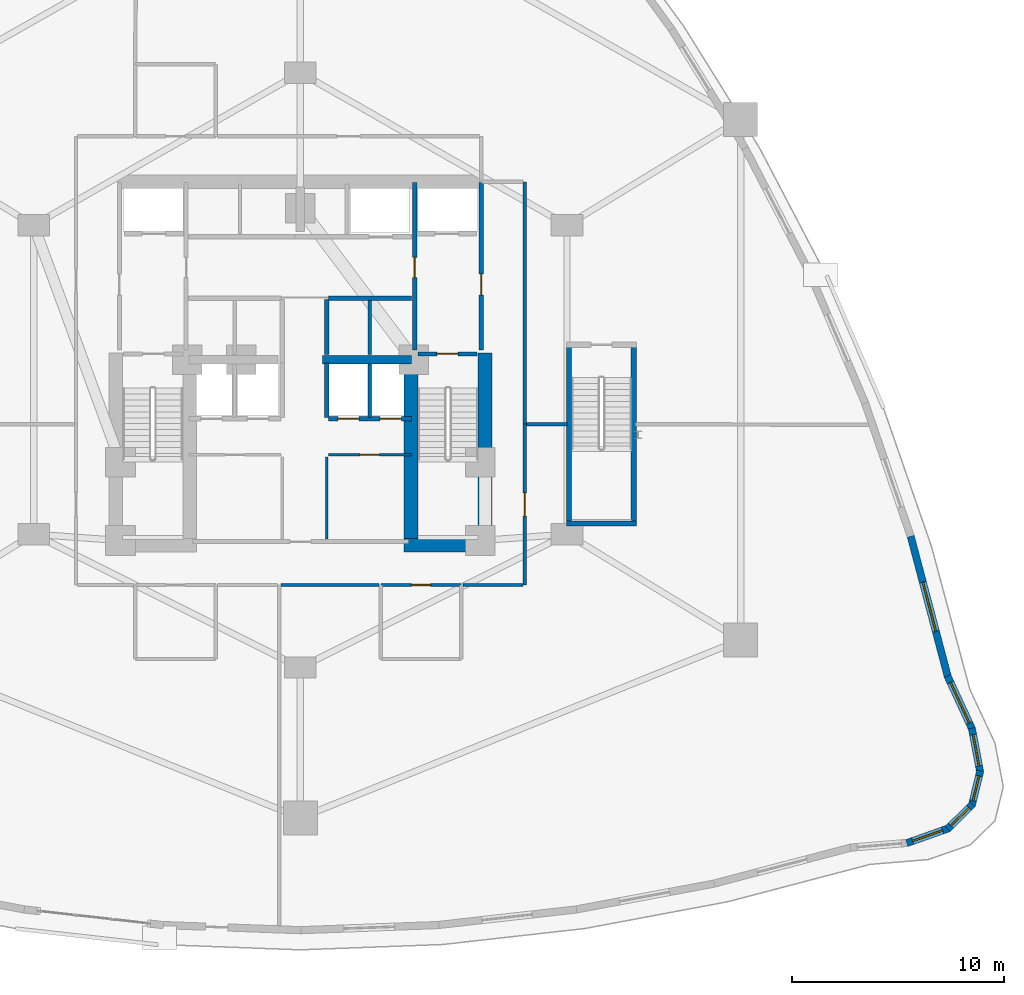
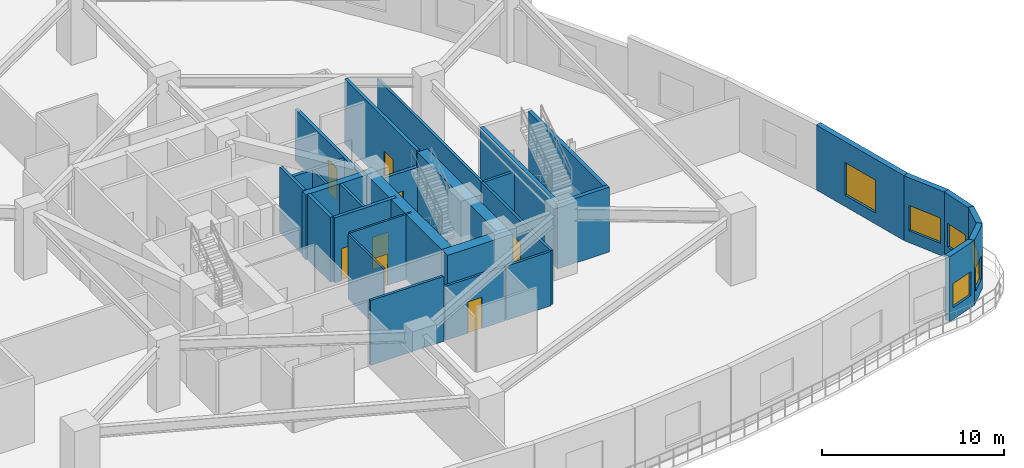
# One storey, part 13 of 19: 30 walls, 8 doors, 6 windows, 14 openings.
"""IFC4 building model written with IfcOpenShell, lengths in metres."""

from ifc_helpers import new_model, si_unit, direction, frame, frame_2d, origin, place, context, subcontext, project, spatial, rectangle, extrude, material, layer, layer_set, type_object, element, fill, save


model = new_model("IFC4")

# Units and contexts
model_context = context("Model", 3, precision=1e-05, world=origin(), true_north=direction((0.0, 1.0)))
body_context = subcontext(model_context, "Body", "Model", "MODEL_VIEW")
ifc_project = project(units=[si_unit("LENGTHUNIT", "METRE"), si_unit("AREAUNIT", "SQUARE_METRE"), si_unit("VOLUMEUNIT", "CUBIC_METRE"), si_unit("PLANEANGLEUNIT", "RADIAN"), si_unit("MASSUNIT", "GRAM", prefix="KILO")], contexts=[model_context])

# Site, building, storey
site_placement = place(None, origin())
site = spatial("IfcSite", under=ifc_project, at=site_placement, CompositionType="ELEMENT")
building_placement = place(site_placement, origin())
building = spatial("IfcBuilding", under=site, at=building_placement, Name="Miruveldt Soraemaru", CompositionType="ELEMENT")
storey_placement = place(building_placement, frame((0.0, 0.0, 19.199951171875)))
storey = spatial("IfcBuildingStorey", under=building, at=storey_placement, Name="L05", CompositionType="ELEMENT", Elevation=19.199951171875)

# Walls
ifc_material_1 = material(Name="Concrete C70/85 (70 MPa)", Category="concrete")
ifc_layer_1 = layer(ifc_material_1, 0.5, Name="Concrete C70/85 (70 MPa)", Category="concrete")
ifc_layer_set_1 = layer_set([ifc_layer_1], Name="Concrete C70/85 (70 MPa)")
wall_type_1 = type_object("IfcWallType", Name="WALL-BW-500", PredefinedType="SHEAR", material=ifc_layer_set_1)
wall_1_placement = place(storey_placement, frame((45.050048828125, 44.050048828125, 0.0), z_axis=(0.0, 0.0, 1.0), x_axis=(1.0, 0.0, 0.0)))
element("IfcWall", 1, at=wall_1_placement, inside=storey, type_object=wall_type_1, Name="L05 Core Buttress Shear Wall BE", PredefinedType="SHEAR", context=body_context, shape_type="SweptSolid", body=[
    extrude(rectangle(XDim=4.199951171875, YDim=0.39990234375, at=frame_2d((2.10009765625, 0.0))), origin(), (0.0, 0.0, 1.0), 4.35009765625),
])
ifc_material_2 = material(Name="Concrete C50/60 (50 MPa)", Category="concrete")
ifc_layer_2 = layer(ifc_material_2, 0.419921875, Name="Concrete C50/60 (50 MPa)", Category="concrete")
ifc_layer_set_2 = layer_set([ifc_layer_2], Name="Concrete C50/60 (50 MPa)")
wall_type_2 = type_object("IfcWallType", Name="WALL-CW-420", PredefinedType="SHEAR", material=ifc_layer_set_2)
for number, where, z_axis, x_axis, name in (
    (2, (56.699951171875, 36.35009765625, 0.0), (0.0, 0.0, 1.0), (0.0, 1.0, 0.0), "L05 Podium Garden Feature Stair ST-4 Structural Shaft Wall W"),
    (3, (59.75, 36.35009765625, 0.0), (0.0, 0.0, 1.0), (0.0, 1.0, 0.0), "L05 Podium Garden Feature Stair ST-4 Structural Shaft Wall E"),
):
    element("IfcWall", number, at=place(storey_placement, frame(where, z_axis=z_axis, x_axis=x_axis)), inside=storey, type_object=wall_type_2, Name=name, PredefinedType="SHEAR", context=body_context, shape_type="SweptSolid", body=[
        extrude(rectangle(XDim=8.349853515625, YDim=0.239990234375, at=frame_2d((4.1748046875, 0.0))), origin(), (0.0, 0.0, 1.0), 4.35009765625),
    ])
wall_2_placement = place(storey_placement, frame((56.580078125, 36.300048828125, 0.0), z_axis=(0.0, 0.0, 1.0), x_axis=(1.0, 0.0, 0.0)))
element("IfcWall", 4, at=wall_2_placement, inside=storey, type_object=wall_type_2, Name="L05 Podium Garden Feature Stair ST-4 Structural Shaft Wall S", PredefinedType="SHEAR", context=body_context, shape_type="SweptSolid", body=[
    extrude(rectangle(XDim=3.2900390625, YDim=0.239990234375, at=frame_2d((1.64501953125, 0.0))), origin(), (0.0, 0.0, 1.0), 4.35009765625),
])
ifc_material_3 = material(Name="Concrete C80/95 (80 MPa)", Category="concrete")
ifc_layer_3 = layer(ifc_material_3, 0.64990234375, Name="Concrete C80/95 (80 MPa)", Category="concrete")
ifc_layer_set_3 = layer_set([ifc_layer_3], Name="Concrete C80/95 (80 MPa)")
wall_type_3 = type_object("IfcWallType", Name="WALL-CW-650", PredefinedType="SHEAR", material=ifc_layer_set_3)
wall_3_placement = place(storey_placement, frame((48.89990234375, 35.27490234375, 0.0), z_axis=(0.0, 0.0, 1.0), x_axis=(1.0, 0.0, 0.0)))
element("IfcWall", 5, at=wall_3_placement, inside=storey, type_object=wall_type_3, Name="L05 Central Core Shear Wall S2", PredefinedType="SHEAR", context=body_context, shape_type="SweptSolid", body=[
    extrude(rectangle(XDim=4.150146484375, YDim=0.64990234375, at=frame_2d((2.0751953125, 0.0))), origin(), (0.0, 0.0, 1.0), 4.35009765625),
])
wall_4_placement = place(storey_placement, frame((52.72509765625, 34.949951171875, 0.0), z_axis=(0.0, 0.0, 1.0), x_axis=(0.0, 1.0, 0.0)))
element("IfcWall", 6, at=wall_4_placement, inside=storey, type_object=wall_type_3, Name="L05 Central Core Shear Wall E1", PredefinedType="SHEAR", context=body_context, shape_type="SweptSolid", body=[
    extrude(rectangle(XDim=9.400146484375, YDim=0.64990234375, at=frame_2d((4.7001953125, 0.0))), origin(), (0.0, 0.0, 1.0), 4.35009765625),
])
wall_5_placement = place(storey_placement, frame((49.22509765625, 35.39990234375, 0.0), z_axis=(0.0, 0.0, 1.0), x_axis=(0.0, 1.0, 0.0)))
element("IfcWall", 7, at=wall_5_placement, inside=storey, type_object=wall_type_3, Name="L05 Central Core Shear Wall SE-INT", PredefinedType="SHEAR", context=body_context, shape_type="SweptSolid", body=[
    extrude(rectangle(XDim=8.9501953125, YDim=0.64990234375, at=frame_2d((4.47509765625, 0.0))), origin(), (0.0, 0.0, 1.0), 4.35009765625),
])

# Wall, opening, window
ifc_material_4 = material(Name="Precast concrete C45/55 (45 MPa)", Category="concrete")
ifc_layer_4 = layer(ifc_material_4, 0.340087890625, Name="Precast concrete C45/55 (45 MPa)", Category="concrete")
ifc_layer_set_4 = layer_set([ifc_layer_4], Name="Precast concrete C45/55 (45 MPa)")
wall_type_4 = type_object("IfcWallType", Name="WALL-EXT-PC340", PredefinedType="SOLIDWALL", material=ifc_layer_set_4)
wall_6_placement = place(storey_placement, frame((72.652099609375, 21.20654296875, 0.0), z_axis=(0.0, 0.0, 1.0), x_axis=(0.942841449092, 0.333241656871, 0.0)))
wall_6 = element("IfcWall", 8, at=wall_6_placement, inside=storey, type_object=wall_type_4, Name="L05 Precast Concrete Facade Wall 30", PredefinedType="SOLIDWALL", context=body_context, shape_type="SweptSolid", body=[
    extrude(rectangle(XDim=2.090087890625, YDim=0.340087890625, at=frame_2d((1.044921875, 0.0))), origin(), (0.0, 0.0, 1.0), 4.35009765625),
])
opening_1_placement = place(wall_6_placement, frame((0.294921875, 0.0, 0.800048828125)))
opening_1 = element("IfcOpeningElement", 9, at=opening_1_placement, cuts=wall_6, Name="Opening WN-3", PredefinedType="OPENING", context=body_context, shape_type="SweptSolid", body=[
    extrude(rectangle(XDim=1.5, YDim=1.60009765625, at=frame_2d((0.75, 0.800048828125))), frame((0.0, 0.18017578125, 0.0), z_axis=(0.0, -1.0, 0.0), x_axis=(1.0, 0.0, 0.0)), (0.0, 0.0, 1.0), 0.360107421875),
])
ifc_material_5 = material(Name="Triple low-e insulated glazing", Category="glass")
window_type_1 = type_object("IfcWindowType", Name="WIN-PUNCH-1500x1600", PartitioningType="SINGLE_PANEL", PredefinedType="WINDOW", material=ifc_material_5)
window_1_placement = place(opening_1_placement, origin())
window_1 = element("IfcWindow", 10, at=window_1_placement, inside=storey, type_object=window_type_1, Name="L05 Punched Triple-Glazed Window 30.1", OverallHeight=1.60009765625, OverallWidth=1.5, PartitioningType="SINGLE_PANEL", PredefinedType="WINDOW", context=body_context, shape_type="SweptSolid", body=[
    extrude(rectangle(XDim=1.5, YDim=1.60009765625, at=frame_2d((0.75, 0.800048828125))), frame((0.0, 0.030029296875, 0.0), z_axis=(0.0, -1.0, 0.0), x_axis=(1.0, 0.0, 0.0)), (0.0, 0.0, 1.0), 0.06005859375),
])
fill(opening_1, window_1)

wall_7_placement = place(storey_placement, frame((74.564697265625, 21.86669921875, 0.0), z_axis=(0.0, 0.0, 1.0), x_axis=(0.713721952104, 0.700429136377, 0.0)))
wall_7 = element("IfcWall", 11, at=wall_7_placement, inside=storey, type_object=wall_type_4, Name="L05 Precast Concrete Facade Wall 31", PredefinedType="SOLIDWALL", context=body_context, shape_type="SweptSolid", body=[
    extrude(rectangle(XDim=1.67138671875, YDim=0.340087890625, at=frame_2d((0.835693359375, 0.0))), origin(), (0.0, 0.0, 1.0), 4.35009765625),
])
opening_2_placement = place(wall_7_placement, frame((0.236083984375, 0.0, 0.780029296875)))
opening_2 = element("IfcOpeningElement", 12, at=opening_2_placement, cuts=wall_7, Name="Opening WN-4", PredefinedType="OPENING", context=body_context, shape_type="SweptSolid", body=[
    extrude(rectangle(XDim=1.199951171875, YDim=1.550048828125, at=frame_2d((0.60009765625, 0.77490234375))), frame((0.0, 0.18017578125, 0.0), z_axis=(0.0, -1.0, 0.0), x_axis=(1.0, 0.0, 0.0)), (0.0, 0.0, 1.0), 0.360107421875),
])
window_type_2 = type_object("IfcWindowType", Name="WIN-PUNCH-1200x1550", PartitioningType="SINGLE_PANEL", PredefinedType="WINDOW", material=ifc_material_5)
window_2_placement = place(opening_2_placement, origin())
window_2 = element("IfcWindow", 13, at=window_2_placement, inside=storey, type_object=window_type_2, Name="L05 Punched Triple-Glazed Window 31.1", OverallHeight=1.550048828125, OverallWidth=1.199951171875, PartitioningType="SINGLE_PANEL", PredefinedType="WINDOW", context=body_context, shape_type="SweptSolid", body=[
    extrude(rectangle(XDim=1.199951171875, YDim=1.550048828125, at=frame_2d((0.60009765625, 0.77490234375))), frame((0.0, 0.030029296875, 0.0), z_axis=(0.0, -1.0, 0.0), x_axis=(1.0, 0.0, 0.0)), (0.0, 0.0, 1.0), 0.06005859375),
])
fill(opening_2, window_2)

wall_8_placement = place(storey_placement, frame((75.72412109375, 22.978759765625, 0.0), z_axis=(0.0, 0.0, 1.0), x_axis=(0.235782408653, 0.9718058735, 0.0)))
wall_8 = element("IfcWall", 14, at=wall_8_placement, inside=storey, type_object=wall_type_4, Name="L05 Precast Concrete Facade Wall 32", PredefinedType="SOLIDWALL", context=body_context, shape_type="SweptSolid", body=[
    extrude(rectangle(XDim=1.685791015625, YDim=0.340087890625, at=frame_2d((0.8427734375, 0.0))), origin(), (0.0, 0.0, 1.0), 4.35009765625),
])
opening_3_placement = place(wall_8_placement, frame((0.242919921875, 0.0, 0.780029296875)))
opening_3 = element("IfcOpeningElement", 15, at=opening_3_placement, cuts=wall_8, Name="Opening WN-4", PredefinedType="OPENING", context=body_context, shape_type="SweptSolid", body=[
    extrude(rectangle(XDim=1.199951171875, YDim=1.550048828125, at=frame_2d((0.60009765625, 0.77490234375))), frame((0.0, 0.18017578125, 0.0), z_axis=(0.0, -1.0, 0.0), x_axis=(1.0, 0.0, 0.0)), (0.0, 0.0, 1.0), 0.360107421875),
])
window_3_placement = place(opening_3_placement, origin())
window_3 = element("IfcWindow", 16, at=window_3_placement, inside=storey, type_object=window_type_2, Name="L05 Punched Triple-Glazed Window 32.1", OverallHeight=1.550048828125, OverallWidth=1.199951171875, PartitioningType="SINGLE_PANEL", PredefinedType="WINDOW", context=body_context, shape_type="SweptSolid", body=[
    extrude(rectangle(XDim=1.199951171875, YDim=1.550048828125, at=frame_2d((0.60009765625, 0.77490234375))), frame((0.0, 0.030029296875, 0.0), z_axis=(0.0, -1.0, 0.0), x_axis=(1.0, 0.0, 0.0)), (0.0, 0.0, 1.0), 0.06005859375),
])
fill(opening_3, window_3)

wall_9_placement = place(storey_placement, frame((76.119873046875, 24.548583984375, 0.0), z_axis=(0.0, 0.0, 1.0), x_axis=(-0.185363890455, 0.982669948719, 0.0)))
wall_9 = element("IfcWall", 17, at=wall_9_placement, inside=storey, type_object=wall_type_4, Name="L05 Precast Concrete Facade Wall 33", PredefinedType="SOLIDWALL", context=body_context, shape_type="SweptSolid", body=[
    extrude(rectangle(XDim=2.12451171875, YDim=0.340087890625, at=frame_2d((1.062255859375, 0.0))), origin(), (0.0, 0.0, 1.0), 4.35009765625),
])
opening_4_placement = place(wall_9_placement, frame((0.31201171875, 0.0, 0.800048828125)))
opening_4 = element("IfcOpeningElement", 18, at=opening_4_placement, cuts=wall_9, Name="Opening WN-3", PredefinedType="OPENING", context=body_context, shape_type="SweptSolid", body=[
    extrude(rectangle(XDim=1.5, YDim=1.60009765625, at=frame_2d((0.75, 0.800048828125))), frame((0.0, 0.18017578125, 0.0), z_axis=(0.0, -1.0, 0.0), x_axis=(1.0, 0.0, 0.0)), (0.0, 0.0, 1.0), 0.360107421875),
])
window_4_placement = place(opening_4_placement, origin())
window_4 = element("IfcWindow", 19, at=window_4_placement, inside=storey, type_object=window_type_1, Name="L05 Punched Triple-Glazed Window 33.1", OverallHeight=1.60009765625, OverallWidth=1.5, PartitioningType="SINGLE_PANEL", PredefinedType="WINDOW", context=body_context, shape_type="SweptSolid", body=[
    extrude(rectangle(XDim=1.5, YDim=1.60009765625, at=frame_2d((0.75, 0.800048828125))), frame((0.0, 0.030029296875, 0.0), z_axis=(0.0, -1.0, 0.0), x_axis=(1.0, 0.0, 0.0)), (0.0, 0.0, 1.0), 0.06005859375),
])
fill(opening_4, window_4)

wall_10_placement = place(storey_placement, frame((75.747314453125, 26.570068359375, 0.0), z_axis=(0.0, 0.0, 1.0), x_axis=(-0.42030108438, 0.907384702576, 0.0)))
wall_10 = element("IfcWall", 20, at=wall_10_placement, inside=storey, type_object=wall_type_4, Name="L05 Precast Concrete Facade Wall 34", PredefinedType="SOLIDWALL", context=body_context, shape_type="SweptSolid", body=[
    extrude(rectangle(XDim=2.789306640625, YDim=0.340087890625, at=frame_2d((1.39453125, 0.0))), origin(), (0.0, 0.0, 1.0), 4.35009765625),
])
opening_5_placement = place(wall_10_placement, frame((0.344970703125, 0.0, 0.800048828125)))
opening_5 = element("IfcOpeningElement", 21, at=opening_5_placement, cuts=wall_10, Name="Opening WN-1", PredefinedType="OPENING", context=body_context, shape_type="SweptSolid", body=[
    extrude(rectangle(XDim=2.10009765625, YDim=1.699951171875, at=frame_2d((1.050048828125, 0.85009765625))), frame((0.0, 0.18017578125, 0.0), z_axis=(0.0, -1.0, 0.0), x_axis=(1.0, 0.0, 0.0)), (0.0, 0.0, 1.0), 0.360107421875),
])
window_type_3 = type_object("IfcWindowType", Name="WIN-PUNCH-2100x1700", PartitioningType="SINGLE_PANEL", PredefinedType="WINDOW", material=ifc_material_5)
window_5_placement = place(opening_5_placement, origin())
window_5 = element("IfcWindow", 22, at=window_5_placement, inside=storey, type_object=window_type_3, Name="L05 Punched Triple-Glazed Window 34.1", OverallHeight=1.699951171875, OverallWidth=2.10009765625, PartitioningType="SINGLE_PANEL", PredefinedType="WINDOW", context=body_context, shape_type="SweptSolid", body=[
    extrude(rectangle(XDim=2.10009765625, YDim=1.699951171875, at=frame_2d((1.050048828125, 0.85009765625))), frame((0.0, 0.030029296875, 0.0), z_axis=(0.0, -1.0, 0.0), x_axis=(1.0, 0.0, 0.0)), (0.0, 0.0, 1.0), 0.06005859375),
])
fill(opening_5, window_5)

wall_11_placement = place(storey_placement, frame((74.5986328125, 29.035400390625, 0.0), z_axis=(0.0, 0.0, 1.0), x_axis=(-0.25545855624, 0.966820007056, 0.0)))
wall_11 = element("IfcWall", 23, at=wall_11_placement, inside=storey, type_object=wall_type_4, Name="L05 Precast Concrete Facade Wall 35", PredefinedType="SOLIDWALL", context=body_context, shape_type="SweptSolid", body=[
    extrude(rectangle(XDim=6.896240234375, YDim=0.340087890625, at=frame_2d((3.4482421875, 0.0))), origin(), (0.0, 0.0, 1.0), 4.35009765625),
])
opening_6_placement = place(wall_11_placement, frame((2.248046875, 0.0, 0.75)))
opening_6 = element("IfcOpeningElement", 24, at=opening_6_placement, cuts=wall_11, Name="Opening WN-5", PredefinedType="OPENING", context=body_context, shape_type="SweptSolid", body=[
    extrude(rectangle(XDim=2.39990234375, YDim=2.199951171875, at=frame_2d((1.199951171875, 1.10009765625))), frame((0.0, 0.18017578125, 0.0), z_axis=(0.0, -1.0, 0.0), x_axis=(1.0, 0.0, 0.0)), (0.0, 0.0, 1.0), 0.360107421875),
])
window_type_4 = type_object("IfcWindowType", Name="WIN-PODM-2400x2200", PartitioningType="SINGLE_PANEL", PredefinedType="WINDOW", material=ifc_material_5)
window_6_placement = place(opening_6_placement, origin())
window_6 = element("IfcWindow", 25, at=window_6_placement, inside=storey, type_object=window_type_4, Name="L05 Punched Triple-Glazed Window 35.1", OverallHeight=2.199951171875, OverallWidth=2.39990234375, PartitioningType="SINGLE_PANEL", PredefinedType="WINDOW", context=body_context, shape_type="SweptSolid", body=[
    extrude(rectangle(XDim=2.39990234375, YDim=2.199951171875, at=frame_2d((1.199951171875, 1.10009765625))), frame((0.0, 0.030029296875, 0.0), z_axis=(0.0, -1.0, 0.0), x_axis=(1.0, 0.0, 0.0)), (0.0, 0.0, 1.0), 0.06005859375),
])
fill(opening_6, window_6)

# Wall, opening, door
ifc_material_6 = material(Name="Gypsum plasterboard lining", Category="gypsum")
ifc_layer_5 = layer(ifc_material_6, 0.1201171875, Name="Gypsum plasterboard lining", Category="gypsum")
ifc_layer_set_5 = layer_set([ifc_layer_5], Name="Gypsum plasterboard lining")
wall_type_5 = type_object("IfcWallType", Name="WALL-INT-P120", PredefinedType="PARTITIONING", material=ifc_layer_set_5)
wall_12_placement = place(storey_placement, frame((45.320068359375, 39.550048828125, 0.0), z_axis=(0.0, 0.0, 1.0), x_axis=(1.0, 0.0, 0.0)))
wall_12 = element("IfcWall", 26, at=wall_12_placement, inside=storey, type_object=wall_type_5, Name="L05 Core Compartment Wall CSE-N", PredefinedType="PARTITIONING", context=body_context, shape_type="SweptSolid", body=[
    extrude(rectangle(XDim=3.929931640625, YDim=0.1201171875, at=frame_2d((1.96484375, 0.0))), origin(), (0.0, 0.0, 1.0), 4.35009765625),
])
opening_7_placement = place(wall_12_placement, frame((1.489990234375, 0.0, 0.0)))
opening_7 = element("IfcOpeningElement", 27, at=opening_7_placement, cuts=wall_12, Name="Opening D3A", PredefinedType="OPENING", context=body_context, shape_type="SweptSolid", body=[
    extrude(rectangle(XDim=0.919921875, YDim=2.10009765625, at=frame_2d((0.4599609375, 1.050048828125))), frame((0.0, 0.070068359375, 0.0), z_axis=(0.0, -1.0, 0.0), x_axis=(1.0, 0.0, 0.0)), (0.0, 0.0, 1.0), 0.14013671875),
])
ifc_material_7 = material(Name="Anodised aluminium EN AW-6063 T6", Category="aluminium")
door_type_1 = type_object("IfcDoorType", Name="DOOR-INT-920", OperationType="NOTDEFINED", PredefinedType="DOOR", material=ifc_material_7)
door_1_placement = place(opening_7_placement, origin())
door_1 = element("IfcDoor", 28, at=door_1_placement, inside=storey, type_object=door_type_1, Name="L05 Fire Door", OperationType="SINGLE_SWING_LEFT", OverallHeight=2.10009765625, OverallWidth=0.919921875, PredefinedType="DOOR", context=body_context, shape_type="SweptSolid", body=[
    extrude(rectangle(XDim=0.919921875, YDim=2.10009765625, at=frame_2d((0.4599609375, 1.050048828125))), frame((0.0, 0.02490234375, 0.0), z_axis=(0.0, -1.0, 0.0), x_axis=(1.0, 0.0, 0.0)), (0.0, 0.0, 1.0), 0.050048828125),
])
fill(opening_7, door_1)

# Wall
wall_13_placement = place(storey_placement, frame((45.25, 35.580078125, 0.0), z_axis=(0.0, 0.0, 1.0), x_axis=(0.0, 1.0, 0.0)))
element("IfcWall", 29, at=wall_13_placement, inside=storey, type_object=wall_type_5, Name="L05 Core Compartment Wall SP-ES", PredefinedType="PARTITIONING", context=body_context, shape_type="SweptSolid", body=[
    extrude(rectangle(XDim=3.869873046875, YDim=0.1201171875, at=frame_2d((1.93505859375, 0.0))), origin(), (0.0, 0.0, 1.0), 4.35009765625),
])

# Wall, opening, door
ifc_layer_6 = layer(ifc_material_6, 0.14990234375, Name="Gypsum plasterboard lining", Category="gypsum")
ifc_layer_set_6 = layer_set([ifc_layer_6], Name="Gypsum plasterboard lining")
wall_type_6 = type_object("IfcWallType", Name="WALL-INT-PLUMB", PredefinedType="PLUMBINGWALL", material=ifc_layer_set_6)
wall_14_placement = place(storey_placement, frame((47.800048828125, 33.39990234375, 0.0), z_axis=(0.0, 0.0, 1.0), x_axis=(1.0, 0.0, 0.0)))
wall_14 = element("IfcWall", 30, at=wall_14_placement, inside=storey, type_object=wall_type_6, Name="L05 Partition Wall 3", PredefinedType="PLUMBINGWALL", context=body_context, shape_type="SweptSolid", body=[
    extrude(rectangle(XDim=3.800048828125, YDim=0.14990234375, at=frame_2d((1.89990234375, 0.0))), origin(), (0.0, 0.0, 1.0), 3.637939453125),
])
opening_8_placement = place(wall_14_placement, frame((1.449951171875, 0.0, 0.0)))
opening_8 = element("IfcOpeningElement", 31, at=opening_8_placement, cuts=wall_14, Name="Opening D3", PredefinedType="OPENING", context=body_context, shape_type="SweptSolid", body=[
    extrude(rectangle(XDim=0.89990234375, YDim=2.10009765625, at=frame_2d((0.449951171875, 1.050048828125))), frame((0.0, 0.0849609375, 0.0), z_axis=(0.0, -1.0, 0.0), x_axis=(1.0, 0.0, 0.0)), (0.0, 0.0, 1.0), 0.169921875),
])
door_type_2 = type_object("IfcDoorType", Name="DOOR-INT-900", OperationType="NOTDEFINED", PredefinedType="DOOR", material=ifc_material_7)
door_2_placement = place(opening_8_placement, origin())
door_2 = element("IfcDoor", 32, at=door_2_placement, inside=storey, type_object=door_type_2, Name="L05 Accessible WC Door", OperationType="SINGLE_SWING_LEFT", OverallHeight=2.10009765625, OverallWidth=0.89990234375, PredefinedType="DOOR", context=body_context, shape_type="SweptSolid", body=[
    extrude(rectangle(XDim=0.89990234375, YDim=2.10009765625, at=frame_2d((0.449951171875, 1.050048828125))), frame((0.0, 0.02490234375, 0.0), z_axis=(0.0, -1.0, 0.0), x_axis=(1.0, 0.0, 0.0)), (0.0, 0.0, 1.0), 0.050048828125),
])
fill(opening_8, door_2)

ifc_material_8 = material(Name="Concrete C40/50 (40 MPa)", Category="concrete")
ifc_layer_7 = layer(ifc_material_8, 0.159912109375, Name="Concrete C40/50 (40 MPa)", Category="concrete")
ifc_layer_set_7 = layer_set([ifc_layer_7], Name="Concrete C40/50 (40 MPa)")
wall_type_7 = type_object("IfcWallType", Name="WALL-INT-RC160", PredefinedType="SOLIDWALL", material=ifc_layer_set_7)
wall_15_placement = place(storey_placement, frame((54.60009765625, 33.39990234375, 0.0), z_axis=(0.0, 0.0, 1.0), x_axis=(0.0, 1.0, 0.0)))
wall_15 = element("IfcWall", 33, at=wall_15_placement, inside=storey, type_object=wall_type_7, Name="L05 Partition Wall 9", PredefinedType="SOLIDWALL", context=body_context, shape_type="SweptSolid", body=[
    extrude(rectangle(XDim=7.60009765625, YDim=0.159912109375, at=frame_2d((3.800048828125, 0.0))), origin(), (0.0, 0.0, 1.0), 3.637939453125),
])
opening_9_placement = place(wall_15_placement, frame((3.25, 0.0, 0.0)))
opening_9 = element("IfcOpeningElement", 34, at=opening_9_placement, cuts=wall_15, Name="Opening FD1A", PredefinedType="OPENING", context=body_context, shape_type="SweptSolid", body=[
    extrude(rectangle(XDim=1.10009765625, YDim=2.14990234375, at=frame_2d((0.550048828125, 1.074951171875))), frame((0.0, 0.08984375, 0.0), z_axis=(0.0, -1.0, 0.0), x_axis=(1.0, 0.0, 0.0)), (0.0, 0.0, 1.0), 0.179931640625),
])
door_type_3 = type_object("IfcDoorType", Name="DOOR-FD1-1100", OperationType="NOTDEFINED", PredefinedType="DOOR", material=ifc_material_7)
door_3_placement = place(opening_9_placement, origin())
door_3 = element("IfcDoor", 35, at=door_3_placement, inside=storey, type_object=door_type_3, Name="L05 Hydrotherapy Wellness Lounge Entrance Door", OperationType="SINGLE_SWING_LEFT", OverallHeight=2.14990234375, OverallWidth=1.10009765625, PredefinedType="DOOR", context=body_context, shape_type="SweptSolid", body=[
    extrude(rectangle(XDim=1.10009765625, YDim=2.14990234375, at=frame_2d((0.550048828125, 1.074951171875))), frame((0.0, 0.02490234375, 0.0), z_axis=(0.0, -1.0, 0.0), x_axis=(1.0, 0.0, 0.0)), (0.0, 0.0, 1.0), 0.050048828125),
])
fill(opening_9, door_3)

# Walls
wall_16_placement = place(storey_placement, frame((54.60009765625, 41.0, 0.0), z_axis=(0.0, 0.0, 1.0), x_axis=(0.0, 1.0, 0.0)))
element("IfcWall", 36, at=wall_16_placement, inside=storey, type_object=wall_type_7, Name="L05 Partition Wall 12", PredefinedType="SOLIDWALL", context=body_context, shape_type="SweptSolid", body=[
    extrude(rectangle(XDim=11.449951171875, YDim=0.159912109375, at=frame_2d((5.72509765625, 0.0))), origin(), (0.0, 0.0, 1.0), 3.637939453125),
])
wall_17_placement = place(storey_placement, frame((43.080078125, 33.39990234375, 0.0), z_axis=(0.0, 0.0, 1.0), x_axis=(1.0, 0.0, 0.0)))
element("IfcWall", 37, at=wall_17_placement, inside=storey, type_object=wall_type_7, Name="L05 Partition Wall 7", PredefinedType="SOLIDWALL", context=body_context, shape_type="SweptSolid", body=[
    extrude(rectangle(XDim=4.639892578125, YDim=0.159912109375, at=frame_2d((2.31982421875, 0.0))), origin(), (0.0, 0.0, 1.0), 4.35009765625),
])
wall_18_placement = place(storey_placement, frame((51.679931640625, 33.39990234375, 0.0), z_axis=(0.0, 0.0, 1.0), x_axis=(1.0, 0.0, 0.0)))
element("IfcWall", 38, at=wall_18_placement, inside=storey, type_object=wall_type_7, Name="L05 Partition Wall 8", PredefinedType="SOLIDWALL", context=body_context, shape_type="SweptSolid", body=[
    extrude(rectangle(XDim=2.840087890625, YDim=0.159912109375, at=frame_2d((1.419921875, 0.0))), origin(), (0.0, 0.0, 1.0), 3.637939453125),
])
wall_19_placement = place(storey_placement, frame((47.280029296875, 44.300048828125, 0.0), z_axis=(0.0, 0.0, 1.0), x_axis=(0.0, 1.0, 0.0)))
element("IfcWall", 39, at=wall_19_placement, inside=storey, type_object=wall_type_7, Name="L05 Core Compartment Wall PLM-DE", PredefinedType="SOLIDWALL", context=body_context, shape_type="SweptSolid", body=[
    extrude(rectangle(XDim=2.550048828125, YDim=0.159912109375, at=frame_2d((1.27490234375, 0.0))), origin(), (0.0, 0.0, 1.0), 3.43798828125),
])
wall_20_placement = place(storey_placement, frame((47.280029296875, 41.320068359375, 0.0), z_axis=(0.0, 0.0, 1.0), x_axis=(0.0, 1.0, 0.0)))
element("IfcWall", 40, at=wall_20_placement, inside=storey, type_object=wall_type_7, Name="L05 Core Compartment Wall PLL-DE", PredefinedType="SOLIDWALL", context=body_context, shape_type="SweptSolid", body=[
    extrude(rectangle(XDim=2.530029296875, YDim=0.159912109375, at=frame_2d((1.26513671875, 0.0))), origin(), (0.0, 0.0, 1.0), 4.35009765625),
])
wall_21_placement = place(storey_placement, frame((56.6201171875, 41.0, 0.0), z_axis=(0.0, 0.0, 1.0), x_axis=(-1.0, 0.0, 0.0)))
element("IfcWall", 41, at=wall_21_placement, inside=storey, type_object=wall_type_7, Name="L05 Partition Wall 29", PredefinedType="SOLIDWALL", context=body_context, shape_type="SweptSolid", body=[
    extrude(rectangle(XDim=1.940185546875, YDim=0.159912109375, at=frame_2d((0.97021484375, 0.0))), origin(), (0.0, 0.0, 1.0), 3.637939453125),
])

# Wall, opening, door
ifc_layer_8 = layer(ifc_material_8, 0.199951171875, Name="Concrete C40/50 (40 MPa)", Category="concrete")
ifc_layer_set_8 = layer_set([ifc_layer_8], Name="Concrete C40/50 (40 MPa)")
wall_type_8 = type_object("IfcWallType", Name="WALL-INT-RC200", PredefinedType="SOLIDWALL", material=ifc_layer_set_8)
wall_22_placement = place(storey_placement, frame((52.550048828125, 44.5, 0.0), z_axis=(0.0, 0.0, 1.0), x_axis=(0.0, 1.0, 0.0)))
wall_22 = element("IfcWall", 42, at=wall_22_placement, inside=storey, type_object=wall_type_8, Name="L05 Core Compartment Wall FFE-OUT", PredefinedType="SOLIDWALL", context=body_context, shape_type="SweptSolid", body=[
    extrude(rectangle(XDim=7.919921875, YDim=0.199951171875, at=frame_2d((3.9599609375, 0.0))), origin(), (0.0, 0.0, 1.0), 4.35009765625),
])
opening_10_placement = place(wall_22_placement, frame((2.60009765625, 0.0, 0.0)))
opening_10 = element("IfcOpeningElement", 43, at=opening_10_placement, cuts=wall_22, Name="Opening FD1", PredefinedType="OPENING", context=body_context, shape_type="SweptSolid", body=[
    extrude(rectangle(XDim=1.0, YDim=2.14990234375, at=frame_2d((0.5, 1.074951171875))), frame((0.0, 0.10986328125, 0.0), z_axis=(0.0, -1.0, 0.0), x_axis=(1.0, 0.0, 0.0)), (0.0, 0.0, 1.0), 0.219970703125),
])
door_type_4 = type_object("IfcDoorType", Name="DOOR-FD1-1000", OperationType="NOTDEFINED", PredefinedType="DOOR", material=ifc_material_7)
door_4_placement = place(opening_10_placement, frame((1.0, 0.0, 0.0), z_axis=(0.0, 0.0, 1.0), x_axis=(-1.0, 0.0, 0.0)))
door_4 = element("IfcDoor", 44, at=door_4_placement, inside=storey, type_object=door_type_4, Name="L05 East Firefighting Lobby Exit Door", OperationType="SINGLE_SWING_RIGHT", OverallHeight=2.14990234375, OverallWidth=1.0, PredefinedType="DOOR", context=body_context, shape_type="SweptSolid", body=[
    extrude(rectangle(XDim=1.0, YDim=2.14990234375, at=frame_2d((0.5, 1.074951171875))), frame((0.0, 0.02490234375, 0.0), z_axis=(0.0, -1.0, 0.0), x_axis=(1.0, 0.0, 0.0)), (0.0, 0.0, 1.0), 0.050048828125),
])
fill(opening_10, door_4)

wall_23_placement = place(storey_placement, frame((49.39990234375, 44.5, 0.0), z_axis=(0.0, 0.0, 1.0), x_axis=(0.0, 1.0, 0.0)))
wall_23 = element("IfcWall", 45, at=wall_23_placement, inside=storey, type_object=wall_type_8, Name="L05 Core Compartment Wall FFE-IN", PredefinedType="SOLIDWALL", context=body_context, shape_type="SweptSolid", body=[
    extrude(rectangle(XDim=7.919921875, YDim=0.199951171875, at=frame_2d((3.9599609375, 0.0))), origin(), (0.0, 0.0, 1.0), 3.43798828125),
])
opening_11_placement = place(wall_23_placement, frame((3.425048828125, 0.0, 0.0)))
opening_11 = element("IfcOpeningElement", 46, at=opening_11_placement, cuts=wall_23, Name="Opening FD2", PredefinedType="OPENING", context=body_context, shape_type="SweptSolid", body=[
    extrude(rectangle(XDim=0.949951171875, YDim=2.14990234375, at=frame_2d((0.47509765625, 1.074951171875))), frame((0.0, 0.10986328125, 0.0), z_axis=(0.0, -1.0, 0.0), x_axis=(1.0, 0.0, 0.0)), (0.0, 0.0, 1.0), 0.219970703125),
])
door_type_5 = type_object("IfcDoorType", Name="DOOR-FD2-950", OperationType="NOTDEFINED", PredefinedType="DOOR", material=ifc_material_7)
door_5_placement = place(opening_11_placement, origin())
door_5 = element("IfcDoor", 47, at=door_5_placement, inside=storey, type_object=door_type_5, Name="L05 Lift Lobby to East Fire Lobby Door", OperationType="SINGLE_SWING_LEFT", OverallHeight=2.14990234375, OverallWidth=0.949951171875, PredefinedType="DOOR", context=body_context, shape_type="SweptSolid", body=[
    extrude(rectangle(XDim=0.949951171875, YDim=2.14990234375, at=frame_2d((0.47509765625, 1.074951171875))), frame((0.0, 0.02490234375, 0.0), z_axis=(0.0, -1.0, 0.0), x_axis=(1.0, 0.0, 0.0)), (0.0, 0.0, 1.0), 0.050048828125),
])
fill(opening_11, door_5)

# Wall, openings, doors
wall_24_placement = place(storey_placement, frame((45.320068359375, 41.25, 0.0), z_axis=(0.0, 0.0, 1.0), x_axis=(1.0, 0.0, 0.0)))
wall_24 = element("IfcWall", 48, at=wall_24_placement, inside=storey, type_object=wall_type_8, Name="L05 Core Compartment Wall LBE-S", PredefinedType="SOLIDWALL", context=body_context, shape_type="SweptSolid", body=[
    extrude(rectangle(XDim=3.929931640625, YDim=0.199951171875, at=frame_2d((1.96484375, 0.0))), origin(), (0.0, 0.0, 1.0), 4.35009765625),
])
opening_12_placement = place(wall_24_placement, frame((0.449951171875, 0.0, 0.0)))
opening_12 = element("IfcOpeningElement", 49, at=opening_12_placement, cuts=wall_24, Name="Opening LD1B", PredefinedType="OPENING", context=body_context, shape_type="SweptSolid", body=[
    extrude(rectangle(XDim=1.0, YDim=2.14990234375, at=frame_2d((0.5, 1.074951171875))), frame((0.0, 0.10986328125, 0.0), z_axis=(0.0, -1.0, 0.0), x_axis=(1.0, 0.0, 0.0)), (0.0, 0.0, 1.0), 0.219970703125),
])
opening_13_placement = place(wall_24_placement, frame((2.449951171875, 0.0, 0.0)))
opening_13 = element("IfcOpeningElement", 50, at=opening_13_placement, cuts=wall_24, Name="Opening LD1B", PredefinedType="OPENING", context=body_context, shape_type="SweptSolid", body=[
    extrude(rectangle(XDim=1.0, YDim=2.14990234375, at=frame_2d((0.5, 1.074951171875))), frame((0.0, 0.10986328125, 0.0), z_axis=(0.0, -1.0, 0.0), x_axis=(1.0, 0.0, 0.0)), (0.0, 0.0, 1.0), 0.219970703125),
])
door_type_6 = type_object("IfcDoorType", Name="DOOR-LD1-1000", OperationType="SLIDING_TO_LEFT", PredefinedType="DOOR", material=ifc_material_7)
door_6_placement = place(opening_12_placement, frame((1.0, 0.0, 0.0), z_axis=(0.0, 0.0, 1.0), x_axis=(-1.0, 0.0, 0.0)))
door_6 = element("IfcDoor", 51, at=door_6_placement, inside=storey, type_object=door_type_6, Name="L05 PL-L3 Landing Door", OperationType="SLIDING_TO_LEFT", OverallHeight=2.14990234375, OverallWidth=1.0, PredefinedType="DOOR", context=body_context, shape_type="SweptSolid", body=[
    extrude(rectangle(XDim=1.0, YDim=2.14990234375, at=frame_2d((0.5, 1.074951171875))), frame((0.0, 0.02490234375, 0.0), z_axis=(0.0, -1.0, 0.0), x_axis=(1.0, 0.0, 0.0)), (0.0, 0.0, 1.0), 0.050048828125),
])
fill(opening_12, door_6)
door_7_placement = place(opening_13_placement, frame((1.0, 0.0, 0.0), z_axis=(0.0, 0.0, 1.0), x_axis=(-1.0, 0.0, 0.0)))
door_7 = element("IfcDoor", 52, at=door_7_placement, inside=storey, type_object=door_type_6, Name="L05 PL-L4 Landing Door", OperationType="SLIDING_TO_LEFT", OverallHeight=2.14990234375, OverallWidth=1.0, PredefinedType="DOOR", context=body_context, shape_type="SweptSolid", body=[
    extrude(rectangle(XDim=1.0, YDim=2.14990234375, at=frame_2d((0.5, 1.074951171875))), frame((0.0, 0.02490234375, 0.0), z_axis=(0.0, -1.0, 0.0), x_axis=(1.0, 0.0, 0.0)), (0.0, 0.0, 1.0), 0.050048828125),
])
fill(opening_13, door_7)

# Wall, opening, door
wall_25_placement = place(storey_placement, frame((49.550048828125, 44.320068359375, 0.0), z_axis=(0.0, 0.0, 1.0), x_axis=(1.0, 0.0, 0.0)))
wall_25 = element("IfcWall", 53, at=wall_25_placement, inside=storey, type_object=wall_type_8, Name="L05 Core Compartment Wall ST2-N", PredefinedType="SOLIDWALL", context=body_context, shape_type="SweptSolid", body=[
    extrude(rectangle(XDim=2.800048828125, YDim=0.199951171875, at=frame_2d((1.39990234375, 0.0))), origin(), (0.0, 0.0, 1.0), 3.43798828125),
])
opening_14_placement = place(wall_25_placement, frame((0.89990234375, 0.0, 0.0)))
opening_14 = element("IfcOpeningElement", 54, at=opening_14_placement, cuts=wall_25, Name="Opening FD1", PredefinedType="OPENING", context=body_context, shape_type="SweptSolid", body=[
    extrude(rectangle(XDim=1.0, YDim=2.14990234375, at=frame_2d((0.5, 1.074951171875))), frame((0.0, 0.10986328125, 0.0), z_axis=(0.0, -1.0, 0.0), x_axis=(1.0, 0.0, 0.0)), (0.0, 0.0, 1.0), 0.219970703125),
])
door_8_placement = place(opening_14_placement, frame((1.0, 0.0, 0.0), z_axis=(0.0, 0.0, 1.0), x_axis=(-1.0, 0.0, 0.0)))
door_8 = element("IfcDoor", 55, at=door_8_placement, inside=storey, type_object=door_type_4, Name="L05 Stair ST-2 Fire Door", OperationType="SINGLE_SWING_RIGHT", OverallHeight=2.14990234375, OverallWidth=1.0, PredefinedType="DOOR", context=body_context, shape_type="SweptSolid", body=[
    extrude(rectangle(XDim=1.0, YDim=2.14990234375, at=frame_2d((0.5, 1.074951171875))), frame((0.0, 0.02490234375, 0.0), z_axis=(0.0, -1.0, 0.0), x_axis=(1.0, 0.0, 0.0)), (0.0, 0.0, 1.0), 0.050048828125),
])
fill(opening_14, door_8)

# Walls
wall_26_placement = place(storey_placement, frame((45.320068359375, 46.949951171875, 0.0), z_axis=(0.0, 0.0, 1.0), x_axis=(1.0, 0.0, 0.0)))
element("IfcWall", 56, at=wall_26_placement, inside=storey, type_object=wall_type_8, Name="L05 Core Compartment Wall MBE-N", PredefinedType="SOLIDWALL", context=body_context, shape_type="SweptSolid", body=[
    extrude(rectangle(XDim=3.929931640625, YDim=0.199951171875, at=frame_2d((1.96484375, 0.0))), origin(), (0.0, 0.0, 1.0), 3.43798828125),
])
wall_27_placement = place(storey_placement, frame((45.25, 44.300048828125, 0.0), z_axis=(0.0, 0.0, 1.0), x_axis=(0.0, 1.0, 0.0)))
element("IfcWall", 57, at=wall_27_placement, inside=storey, type_object=wall_type_8, Name="L05 Core Compartment Wall SP-EB", PredefinedType="SOLIDWALL", context=body_context, shape_type="SweptSolid", body=[
    extrude(rectangle(XDim=2.579833984375, YDim=0.199951171875, at=frame_2d((1.2900390625, 0.0))), origin(), (0.0, 0.0, 1.0), 4.35009765625),
])
wall_28_placement = place(storey_placement, frame((45.25, 41.320068359375, 0.0), z_axis=(0.0, 0.0, 1.0), x_axis=(0.0, 1.0, 0.0)))
element("IfcWall", 58, at=wall_28_placement, inside=storey, type_object=wall_type_8, Name="L05 Core Compartment Wall SP-EC", PredefinedType="SOLIDWALL", context=body_context, shape_type="SweptSolid", body=[
    extrude(rectangle(XDim=2.559814453125, YDim=0.199951171875, at=frame_2d((1.27978515625, 0.0))), origin(), (0.0, 0.0, 1.0), 4.35009765625),
])

save(model, "model.ifc")
